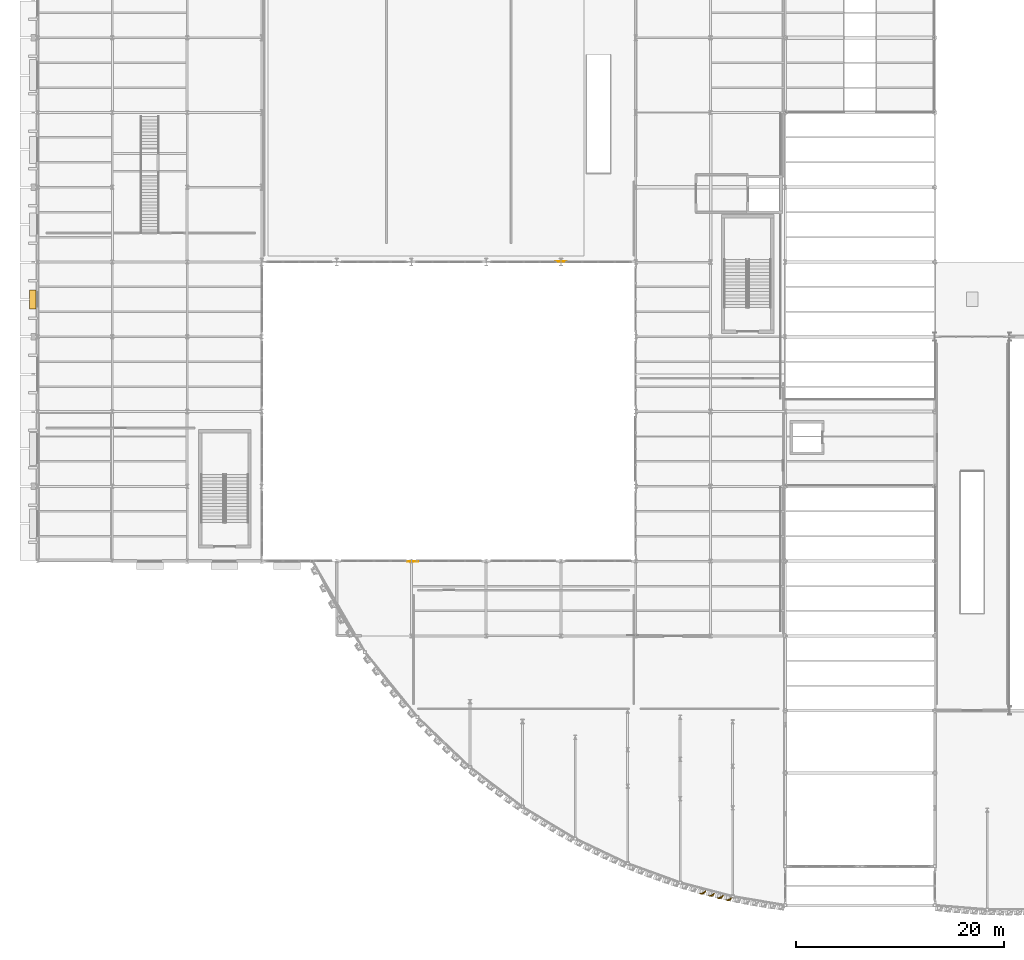
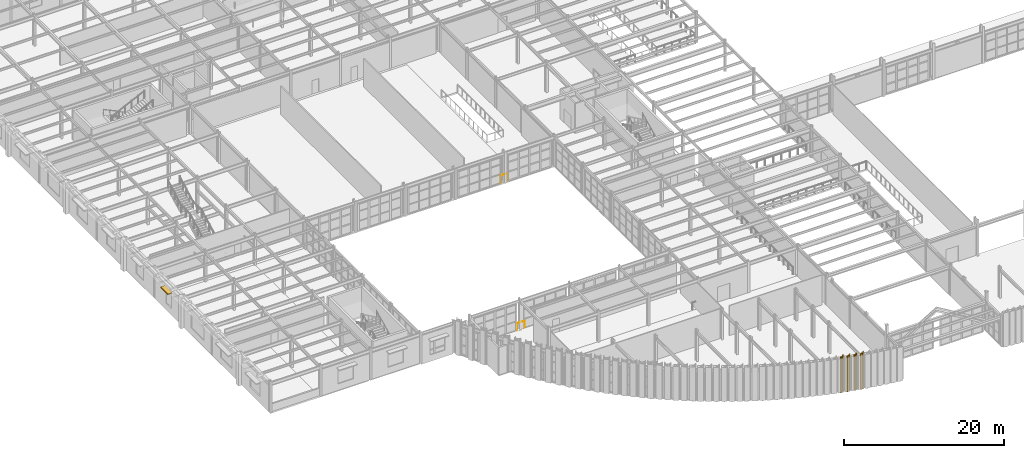
# One storey, part 117 of 126: 4 coverings, 2 railings, 1 shading device.
"""IFC4 building model written with IfcOpenShell, lengths in metres."""

from ifc_helpers import new_model, si_unit, direction, frame, origin, origin_2d, place, context, subcontext, project, spatial, polyline, rectangle, circle, outline, extrude, material, layer, layer_set, type_object, element, save


model = new_model("IFC4")

# Units and contexts
model_context = context("Model", 3, precision=1e-05, world=origin(), true_north=direction((0.0, 1.0)))
body_context = subcontext(model_context, "Body", "Model", "MODEL_VIEW")
ifc_project = project(units=[si_unit("LENGTHUNIT", "METRE"), si_unit("AREAUNIT", "SQUARE_METRE"), si_unit("VOLUMEUNIT", "CUBIC_METRE"), si_unit("PLANEANGLEUNIT", "RADIAN"), si_unit("MASSUNIT", "GRAM", prefix="KILO")], contexts=[model_context])

# Site, building, storey
site_placement = place(None, origin())
site = spatial("IfcSite", under=ifc_project, at=site_placement, CompositionType="ELEMENT")
building_placement = place(site_placement, origin())
building = spatial("IfcBuilding", under=site, at=building_placement, Name="Solvadek Multi-Sports Hall", CompositionType="ELEMENT")
storey_placement = place(building_placement, frame((0.0, 0.0, 9.60009765625)))
storey = spatial("IfcBuildingStorey", under=building, at=storey_placement, Name="L02", CompositionType="ELEMENT", Elevation=9.60009765625)

# Coverings
ifc_material_1 = material(Name="Perforated champagne-bronze anodised aluminium", Category="aluminium")
ifc_layer = layer(ifc_material_1, 0.06494140625, Name="Perforated champagne-bronze anodised aluminium")
ifc_layer_set = layer_set([ifc_layer], Name="Perforated champagne-bronze anodised aluminium")
covering_type = type_object("IfcCoveringType", Name="ENV-COV-FLUTED", PredefinedType="CLADDING", material=ifc_layer_set)
covering_1_placement = place(storey_placement, frame((0.0, 0.0, 0.010009765625)))
element("IfcCovering", 1, at=covering_1_placement, inside=storey, type_object=covering_type, Name="L02 Perforated Bronze Half-Cylinder Fluted Shell #91", PredefinedType="CLADDING", context=body_context, shape_type="SweptSolid", body=[
    extrude(outline(polyline([(64.3583984375, -11.37255859375), (64.28857421875, -11.516357421875), (64.168701171875, -11.622314453125), (64.017578125, -11.674560546875), (63.85791015625, -11.664794921875), (63.714111328125, -11.5947265625), (63.60791015625, -11.47509765625), (63.555908203125, -11.32373046875), (63.5654296875, -11.1640625), (63.62841796875, -11.1806640625), (63.52587890625, -11.31494140625), (63.489990234375, -11.4423828125), (63.52587890625, -11.54296875), (63.62841796875, -11.60205078125), (63.781494140625, -11.610107421875), (63.9619140625, -11.56640625), (64.142578125, -11.47705078125), (64.295654296875, -11.35595703125), (64.3583984375, -11.37255859375)])), origin(), (0.0, 0.0, 1.0), 5.489990234375),
])
covering_2_placement = place(storey_placement, frame((0.0, 0.0, 0.010009765625)))
element("IfcCovering", 2, at=covering_2_placement, inside=storey, type_object=covering_type, Name="L02 Perforated Bronze Half-Cylinder Fluted Shell #92", PredefinedType="CLADDING", context=body_context, shape_type="SweptSolid", body=[
    extrude(outline(polyline([(65.201904296875, -11.593994140625), (65.1318359375, -11.73779296875), (65.01220703125, -11.843994140625), (64.86083984375, -11.89599609375), (64.701171875, -11.886474609375), (64.557373046875, -11.81640625), (64.451416015625, -11.696533203125), (64.399169921875, -11.54541015625), (64.40869140625, -11.3857421875), (64.4716796875, -11.402099609375), (64.369384765625, -11.53662109375), (64.33349609375, -11.663818359375), (64.369384765625, -11.7646484375), (64.4716796875, -11.823486328125), (64.624755859375, -11.831787109375), (64.805419921875, -11.787841796875), (64.986083984375, -11.698486328125), (65.13916015625, -11.57763671875), (65.201904296875, -11.593994140625)])), origin(), (0.0, 0.0, 1.0), 5.489990234375),
])
covering_3_placement = place(storey_placement, frame((0.0, 0.0, 0.010009765625)))
element("IfcCovering", 3, at=covering_3_placement, inside=storey, type_object=covering_type, Name="L02 Perforated Bronze Half-Cylinder Fluted Shell #95", PredefinedType="CLADDING", context=body_context, shape_type="SweptSolid", body=[
    extrude(outline(polyline([(66.05126953125, -11.791259765625), (65.9853515625, -11.93701171875), (65.868896484375, -12.046630859375), (65.71923828125, -12.103271484375), (65.559326171875, -12.098388671875), (65.41357421875, -12.03271484375), (65.303955078125, -11.916015625), (65.247314453125, -11.7666015625), (65.252197265625, -11.606689453125), (65.315673828125, -11.62109375), (65.21240234375, -11.755859375), (65.17626953125, -11.881591796875), (65.21240234375, -11.979736328125), (65.315673828125, -12.034912109375), (65.4697265625, -12.039306640625), (65.651611328125, -11.991455078125), (65.83349609375, -11.8994140625), (65.98779296875, -11.776611328125), (66.05126953125, -11.791259765625)])), origin(), (0.0, 0.0, 1.0), 5.489990234375),
])
covering_4_placement = place(storey_placement, frame((0.0, 0.0, 0.010009765625)))
element("IfcCovering", 4, at=covering_4_placement, inside=storey, type_object=covering_type, Name="L02 Perforated Bronze Half-Cylinder Fluted Shell #96", PredefinedType="CLADDING", context=body_context, shape_type="SweptSolid", body=[
    extrude(outline(polyline([(66.89453125, -11.986083984375), (66.828857421875, -12.132080078125), (66.71240234375, -12.24169921875), (66.562744140625, -12.29833984375), (66.40283203125, -12.293212890625), (66.257080078125, -12.2275390625), (66.1474609375, -12.111083984375), (66.0908203125, -11.96142578125), (66.095703125, -11.801513671875), (66.158935546875, -11.816162109375), (66.055908203125, -11.95068359375), (66.019775390625, -12.07666015625), (66.055908203125, -12.1748046875), (66.158935546875, -12.22998046875), (66.313232421875, -12.234130859375), (66.4951171875, -12.1865234375), (66.677001953125, -12.09423828125), (66.831298828125, -11.971435546875), (66.89453125, -11.986083984375)])), origin(), (0.0, 0.0, 1.0), 5.489990234375),
])

# Shading device
shading_device_type = type_object("IfcShadingDeviceType", Name="ENV-SHD-CHAJJA2", PredefinedType="JALOUSIE", material=ifc_material_1)
shading_device_placement = place(storey_placement, frame((-0.469482421875, 45.60009765625, 3.419921875), z_axis=(0.0, 0.0, 1.0), x_axis=(0.0, 1.0, 0.0)))
element("IfcShadingDevice", 5, at=shading_device_placement, inside=storey, type_object=shading_device_type, Name="L02 Chajja Solar Shading Hood #10", PredefinedType="JALOUSIE", context=body_context, shape_type="SweptSolid", body=[
    extrude(rectangle(XDim=1.800048828125, YDim=0.639892578125, at=origin_2d()), origin(), (0.0, 0.0, 1.0), 0.1201171875),
])

# Railings
ifc_material_2 = material(Name="Steel E250 (250 MPa)", Category="steel")
railing_type = type_object("IfcRailingType", Name="INT-RAL-GRD115", PredefinedType="BALUSTRADE", material=ifc_material_2)
railing_1_placement = place(storey_placement, frame((49.8798828125, 49.260009765625, 0.0)))
element("IfcRailing", 6, at=railing_1_placement, inside=storey, type_object=railing_type, Name="L02 Void Edge Balustrade Guard #66", PredefinedType="BALUSTRADE", context=body_context, shape_type="SweptSolid", body=[
    extrude(circle(Radius=0.02392578125, at=origin_2d()), frame((0.0, 0.0, 1.1259765625), z_axis=(1.0, 0.0, 0.0), x_axis=(0.0, 1.0, 0.0)), (0.0, 0.0, 1.0), 1.0400390625),
    extrude(circle(Radius=0.02099609375, at=origin_2d()), origin(), (0.0, 0.0, 1.0), 1.101806640625),
    extrude(circle(Radius=0.02099609375, at=origin_2d()), frame((1.0400390625, 0.0, 0.0)), (0.0, 0.0, 1.0), 1.101806640625),
])
railing_2_placement = place(storey_placement, frame((35.60009765625, 20.360107421875, 0.0)))
element("IfcRailing", 7, at=railing_2_placement, inside=storey, type_object=railing_type, Name="L02 Void Edge Balustrade Guard #68", PredefinedType="BALUSTRADE", context=body_context, shape_type="SweptSolid", body=[
    extrude(circle(Radius=0.02392578125, at=origin_2d()), frame((0.0, 0.0, 1.1259765625), z_axis=(1.0, 0.0, 0.0), x_axis=(0.0, 1.0, 0.0)), (0.0, 0.0, 1.0), 1.0498046875),
    extrude(circle(Radius=0.02099609375, at=origin_2d()), origin(), (0.0, 0.0, 1.0), 1.101806640625),
    extrude(circle(Radius=0.02099609375, at=origin_2d()), frame((1.0498046875, 0.0, 0.0)), (0.0, 0.0, 1.0), 1.101806640625),
])

save(model, "model.ifc")
